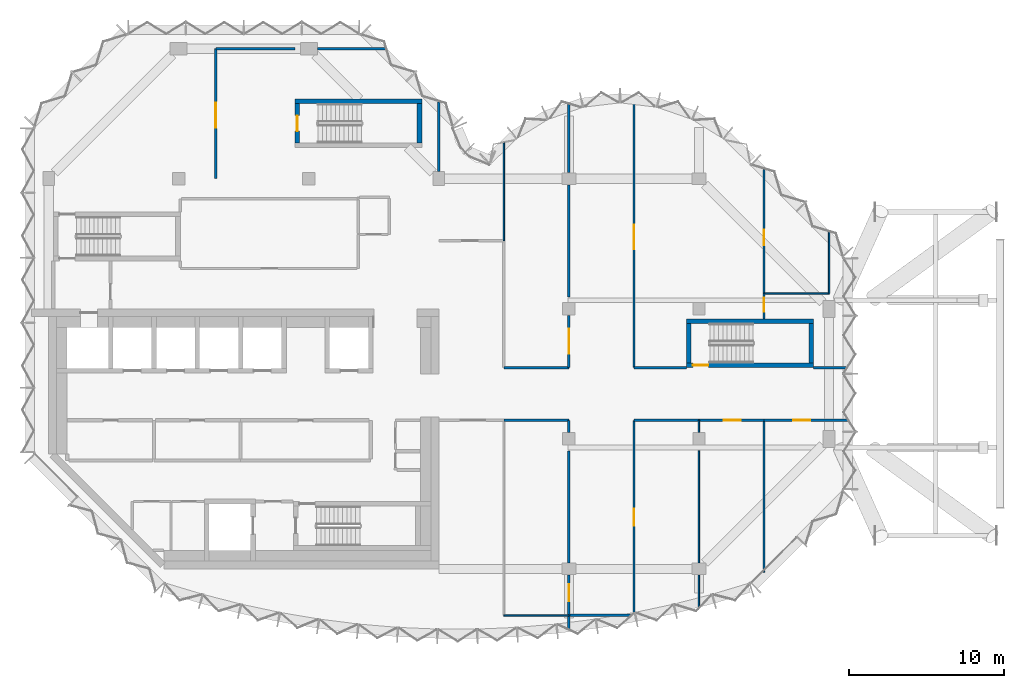
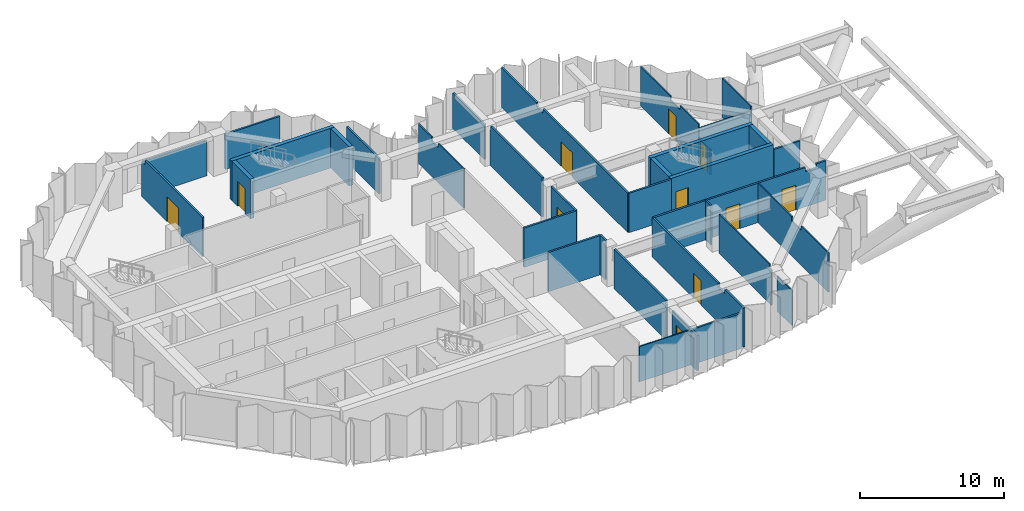
# One storey, part 8 of 11: 37 walls, 11 doors, 11 openings.
"""IFC4 building model written with IfcOpenShell, lengths in metres."""

from ifc_helpers import new_model, si_unit, direction, frame, frame_2d, origin, place, context, subcontext, project, spatial, polyline, rectangle, outline, extrude, material, layer, layer_set, type_object, element, fill, save


model = new_model("IFC4")

# Units and contexts
model_context = context("Model", 3, precision=1e-05, world=origin(), true_north=direction((0.0, 1.0)))
body_context = subcontext(model_context, "Body", "Model", "MODEL_VIEW")
ifc_project = project(units=[si_unit("LENGTHUNIT", "METRE"), si_unit("AREAUNIT", "SQUARE_METRE"), si_unit("VOLUMEUNIT", "CUBIC_METRE"), si_unit("PLANEANGLEUNIT", "RADIAN"), si_unit("MASSUNIT", "GRAM", prefix="KILO")], contexts=[model_context])

# Site, building, storey
site_placement = place(None, origin())
site = spatial("IfcSite", under=ifc_project, at=site_placement, CompositionType="ELEMENT")
building_placement = place(site_placement, origin())
building = spatial("IfcBuilding", under=site, at=building_placement, Name="Brevane Broadcast Tower", CompositionType="ELEMENT")
storey_placement = place(building_placement, frame((0.0, 0.0, 219.300048828125)))
storey = spatial("IfcBuildingStorey", under=building, at=storey_placement, Name="L55", CompositionType="ELEMENT", Elevation=219.300048828125)

# Wall
ifc_material_1 = material(Name="Concrete C50/60", Category="concrete")
ifc_layer_1 = layer(ifc_material_1, 0.300048828125)
ifc_layer_set_1 = layer_set([ifc_layer_1], Name="Core wall 300 mm C50/60")
wall_type_1 = type_object("IfcWallType", Name="Core wall 300 mm C50/60", PredefinedType="SHEAR", material=ifc_layer_set_1)
wall_1_placement = place(storey_placement, frame((15.89990234375, 30.199951171875, 0.0), z_axis=(0.0, 0.0, 1.0), x_axis=(1.0, 0.0, 0.0)))
element("IfcWall", 1, at=wall_1_placement, inside=storey, type_object=wall_type_1, Name="L55 stair wall ST-3-N", PredefinedType="SHEAR", context=body_context, shape_type="SweptSolid", body=[
    extrude(rectangle(XDim=8.2001953125, YDim=0.300048828125, at=frame_2d((4.10009765625, 0.0))), origin(), (0.0, 0.0, 1.0), 3.349853515625),
])

# Wall, opening, door
wall_2_placement = place(storey_placement, frame((16.050048828125, 27.5, 0.0), z_axis=(0.0, 0.0, 1.0), x_axis=(0.0, 1.0, 0.0)))
wall_2 = element("IfcWall", 2, at=wall_2_placement, inside=storey, type_object=wall_type_1, Name="L55 stair wall ST-3-W", PredefinedType="SHEAR", context=body_context, shape_type="SweptSolid", body=[
    extrude(rectangle(XDim=2.550048828125, YDim=0.300048828125, at=frame_2d((1.27490234375, 0.0))), origin(), (0.0, 0.0, 1.0), 3.349853515625),
])
opening_1_placement = place(wall_2_placement, frame((0.77490234375, 0.0, 0.0)))
opening_1 = element("IfcOpeningElement", 3, at=opening_1_placement, cuts=wall_2, Name="Opening L55-K12", PredefinedType="OPENING", context=body_context, shape_type="SweptSolid", body=[
    extrude(rectangle(XDim=1.0, YDim=2.10009765625, at=frame_2d((0.5, 1.050048828125))), frame((0.0, 0.159912109375, 0.0), z_axis=(0.0, -1.0, 0.0), x_axis=(1.0, 0.0, 0.0)), (0.0, 0.0, 1.0), 0.320068359375),
])
ifc_material_2 = material(Name="Steel", Category="steel")
door_type_1 = type_object("IfcDoorType", Name="Stair door 1000 x 2100", OperationType="SINGLE_SWING_LEFT", PredefinedType="DOOR", material=ifc_material_2)
door_1_placement = place(opening_1_placement, origin())
door_1 = element("IfcDoor", 4, at=door_1_placement, inside=storey, type_object=door_type_1, Name="Door L55-K12", OperationType="SINGLE_SWING_RIGHT", OverallHeight=2.10009765625, OverallWidth=1.0, PredefinedType="DOOR", context=body_context, shape_type="SweptSolid", body=[
    extrude(rectangle(XDim=1.0, YDim=2.10009765625, at=frame_2d((0.5, 1.050048828125))), frame((0.0, 0.02490234375, 0.0), z_axis=(0.0, -1.0, 0.0), x_axis=(1.0, 0.0, 0.0)), (0.0, 0.0, 1.0), 0.050048828125),
])
fill(opening_1, door_1)

# Wall
wall_3_placement = place(storey_placement, frame((23.949951171875, 27.5, 0.0), z_axis=(0.0, 0.0, 1.0), x_axis=(0.0, 1.0, 0.0)))
element("IfcWall", 5, at=wall_3_placement, inside=storey, type_object=wall_type_1, Name="L55 stair wall ST-3-E", PredefinedType="SHEAR", context=body_context, shape_type="SweptSolid", body=[
    extrude(rectangle(XDim=2.550048828125, YDim=0.300048828125, at=frame_2d((1.27490234375, 0.0))), origin(), (0.0, 0.0, 1.0), 3.349853515625),
])

# Wall, opening, door
wall_4_placement = place(storey_placement, frame((49.39990234375, 13.14990234375, 0.0), z_axis=(0.0, 0.0, 1.0), x_axis=(-1.0, 0.0, 0.0)))
wall_4 = element("IfcWall", 6, at=wall_4_placement, inside=storey, type_object=wall_type_1, Name="L55 stair wall ST-4-S", PredefinedType="SHEAR", context=body_context, shape_type="SweptSolid", body=[
    extrude(rectangle(XDim=8.199951171875, YDim=0.300048828125, at=frame_2d((4.10009765625, 0.0))), origin(), (0.0, 0.0, 1.0), 3.349853515625),
])
opening_2_placement = place(wall_4_placement, frame((6.800048828125, 0.0, 0.0)))
opening_2 = element("IfcOpeningElement", 7, at=opening_2_placement, cuts=wall_4, Name="Opening L55-K13", PredefinedType="OPENING", context=body_context, shape_type="SweptSolid", body=[
    extrude(rectangle(XDim=1.0, YDim=2.10009765625, at=frame_2d((0.5, 1.050048828125))), frame((0.0, 0.159912109375, 0.0), z_axis=(0.0, -1.0, 0.0), x_axis=(1.0, 0.0, 0.0)), (0.0, 0.0, 1.0), 0.320068359375),
])
door_2_placement = place(opening_2_placement, origin())
door_2 = element("IfcDoor", 8, at=door_2_placement, inside=storey, type_object=door_type_1, Name="Door L55-K13", OperationType="SINGLE_SWING_LEFT", OverallHeight=2.10009765625, OverallWidth=1.0, PredefinedType="DOOR", context=body_context, shape_type="SweptSolid", body=[
    extrude(rectangle(XDim=1.0, YDim=2.10009765625, at=frame_2d((0.5, 1.050048828125))), frame((0.0, 0.02490234375, 0.0), z_axis=(0.0, -1.0, 0.0), x_axis=(1.0, 0.0, 0.0)), (0.0, 0.0, 1.0), 0.050048828125),
])
fill(opening_2, door_2)

# Walls
wall_5_placement = place(storey_placement, frame((41.199951171875, 16.0, 0.0), z_axis=(0.0, 0.0, 1.0), x_axis=(1.0, 0.0, 0.0)))
element("IfcWall", 9, at=wall_5_placement, inside=storey, type_object=wall_type_1, Name="L55 stair wall ST-4-N", PredefinedType="SHEAR", context=body_context, shape_type="SweptSolid", body=[
    extrude(rectangle(XDim=8.199951171875, YDim=0.300048828125, at=frame_2d((4.10009765625, 0.0))), origin(), (0.0, 0.0, 1.0), 3.349853515625),
])
for number, where, z_axis, x_axis, name in (
    (10, (41.35009765625, 13.300048828125, 0.0), (0.0, 0.0, 1.0), (0.0, 1.0, 0.0), "L55 stair wall ST-4-W"),
    (11, (49.25, 13.300048828125, 0.0), (0.0, 0.0, 1.0), (0.0, 1.0, 0.0), "L55 stair wall ST-4-E"),
):
    element("IfcWall", number, at=place(storey_placement, frame(where, z_axis=z_axis, x_axis=x_axis)), inside=storey, type_object=wall_type_1, Name=name, PredefinedType="SHEAR", context=body_context, shape_type="SweptSolid", body=[
        extrude(rectangle(XDim=2.550048828125, YDim=0.300048828125, at=frame_2d((1.27490234375, 0.0))), origin(), (0.0, 0.0, 1.0), 3.349853515625),
    ])
ifc_material_3 = material(Name="Gypsum board partition")
ifc_layer_2 = layer(ifc_material_3, 0.10009765625)
ifc_layer_set_2 = layer_set([ifc_layer_2], Name="PARTITION 100 STUD")
wall_type_2 = type_object("IfcWallType", Name="PARTITION 100 STUD", PredefinedType="PARTITIONING", material=ifc_layer_set_2)
wall_6_placement = place(storey_placement, frame((29.39990234375, 27.510986328125, 0.0), z_axis=(0.0, 0.0, 1.0), x_axis=(0.0, -1.0, 0.0)))
element("IfcWall", 12, at=wall_6_placement, inside=storey, type_object=wall_type_2, Name="Partition G16-004", PredefinedType="PARTITIONING", context=body_context, shape_type="SweptSolid", body=[
    extrude(outline(polyline([(0.0, 0.0), (6.31103515625, 0.0), (6.31103515625, 3.329833984375), (2.760986328125, 3.329833984375), (2.759033203125, 2.97998046875), (1.863037109375, 2.97998046875), (1.861083984375, 3.329833984375), (0.236083984375, 3.329833984375), (0.0, 3.329833984375), (0.0, 0.0)])), frame((0.0, 0.050048828125, 0.0), z_axis=(0.0, -1.0, 0.0), x_axis=(1.0, 0.0, 0.0)), (0.0, 0.0, 1.0), 0.10009765625),
])
wall_7_placement = place(storey_placement, frame((29.39990234375, -3.0, 0.0), z_axis=(0.0, 0.0, 1.0), x_axis=(1.0, 0.0, 0.0)))
element("IfcWall", 13, at=wall_7_placement, inside=storey, type_object=wall_type_2, Name="Partition G16-019", PredefinedType="PARTITIONING", context=body_context, shape_type="SweptSolid", body=[
    extrude(rectangle(XDim=4.2001953125, YDim=0.10009765625, at=frame_2d((2.10009765625, 0.0))), origin(), (0.0, 0.0, 1.0), 2.97998046875),
])
wall_8_placement = place(storey_placement, frame((42.0, 9.60009765625, 0.0), z_axis=(0.0, 0.0, 1.0), x_axis=(0.0, -1.0, 0.0)))
element("IfcWall", 14, at=wall_8_placement, inside=storey, type_object=wall_type_2, Name="Partition G16-020", PredefinedType="PARTITIONING", context=body_context, shape_type="SweptSolid", body=[
    extrude(rectangle(XDim=0.780029296875, YDim=0.10009765625, at=frame_2d((0.39013671875, 0.0))), origin(), (0.0, 0.0, 1.0), 3.329833984375),
])
wall_9_placement = place(storey_placement, frame((42.0, 7.6298828125, 0.0), z_axis=(0.0, 0.0, 1.0), x_axis=(0.0, -1.0, 0.0)))
element("IfcWall", 15, at=wall_9_placement, inside=storey, type_object=wall_type_2, Name="Partition G16-021", PredefinedType="PARTITIONING", context=body_context, shape_type="SweptSolid", body=[
    extrude(outline(polyline([(0.0, 0.0), (7.23486328125, 0.0), (7.235107421875, 2.97998046875), (6.96630859375, 2.97998046875), (6.96435546875, 3.329833984375), (0.0, 3.329833984375), (0.0, 0.0)])), frame((0.0, 0.050048828125, 0.0), z_axis=(0.0, -1.0, 0.0), x_axis=(1.0, 0.0, 0.0)), (0.0, 0.0, 1.0), 0.10009765625),
])
wall_10_placement = place(storey_placement, frame((42.0, -0.39501953125, 0.0), z_axis=(0.0, 0.0, 1.0), x_axis=(0.0, -1.0, 0.0)))
element("IfcWall", 16, at=wall_10_placement, inside=storey, type_object=wall_type_2, Name="Partition G16-022", PredefinedType="PARTITIONING", context=body_context, shape_type="SweptSolid", body=[
    extrude(rectangle(XDim=2.074951171875, YDim=0.10009765625, at=frame_2d((1.03759765625, 0.0))), origin(), (0.0, 0.0, 1.0), 2.97998046875),
])
wall_11_placement = place(storey_placement, frame((46.199951171875, 9.60009765625, 0.0), z_axis=(0.0, 0.0, 1.0), x_axis=(0.0, -1.0, 0.0)))
element("IfcWall", 17, at=wall_11_placement, inside=storey, type_object=wall_type_2, Name="Partition G16-023", PredefinedType="PARTITIONING", context=body_context, shape_type="SweptSolid", body=[
    extrude(outline(polyline([(0.0, 0.0), (9.800048828125, 0.0), (9.800048828125, 3.329833984375), (6.065673828125, 3.329833984375), (6.063720703125, 2.97998046875), (4.736328125, 2.97998046875), (4.734375, 3.329833984375), (0.0, 3.329833984375), (0.0, 0.0)])), frame((0.0, 0.050048828125, 0.0), z_axis=(0.0, -1.0, 0.0), x_axis=(1.0, 0.0, 0.0)), (0.0, 0.0, 1.0), 0.10009765625),
])

# Wall, opening, door
wall_12_placement = place(storey_placement, frame((46.199951171875, 17.800048828125, 0.0), z_axis=(0.0, 0.0, 1.0), x_axis=(0.0, -1.0, 0.0)))
wall_12 = element("IfcWall", 18, at=wall_12_placement, inside=storey, type_object=wall_type_2, Name="Partition G16-028", PredefinedType="PARTITIONING", context=body_context, shape_type="SweptSolid", body=[
    extrude(rectangle(XDim=1.650146484375, YDim=0.10009765625, at=frame_2d((0.8251953125, 0.0))), origin(), (0.0, 0.0, 1.0), 2.19189453125),
])
opening_3_placement = place(wall_12_placement, frame((0.300048828125, 0.0, 0.0)))
opening_3 = element("IfcOpeningElement", 19, at=opening_3_placement, cuts=wall_12, Name="Opening D27-009", PredefinedType="OPENING", context=body_context, shape_type="SweptSolid", body=[
    extrude(rectangle(XDim=0.89990234375, YDim=2.10009765625, at=frame_2d((0.449951171875, 1.050048828125))), frame((0.0, 0.06005859375, 0.0), z_axis=(0.0, -1.0, 0.0), x_axis=(1.0, 0.0, 0.0)), (0.0, 0.0, 1.0), 0.1201171875),
])
ifc_material_4 = material(Name="Timber door leaf", Category="wood")
door_type_2 = type_object("IfcDoorType", Name="DOOR SINGLE 900 INTERNAL", OperationType="SINGLE_SWING_LEFT", PredefinedType="DOOR", material=ifc_material_4)
door_3_placement = place(opening_3_placement, origin())
door_3 = element("IfcDoor", 20, at=door_3_placement, inside=storey, type_object=door_type_2, Name="Door D27-009", OperationType="SINGLE_SWING_LEFT", OverallHeight=2.10009765625, OverallWidth=0.89990234375, PredefinedType="DOOR", context=body_context, shape_type="SweptSolid", body=[
    extrude(rectangle(XDim=0.89990234375, YDim=2.10009765625, at=frame_2d((0.449951171875, 1.050048828125))), frame((0.0, 0.02490234375, 0.0), z_axis=(0.0, -1.0, 0.0), x_axis=(1.0, 0.0, 0.0)), (0.0, 0.0, 1.0), 0.050048828125),
])
fill(opening_3, door_3)

wall_13_placement = place(storey_placement, frame((46.199951171875, 25.805419921875, 0.0), z_axis=(0.0, 0.0, 1.0), x_axis=(0.0, -1.0, 0.0)))
wall_13 = element("IfcWall", 21, at=wall_13_placement, inside=storey, type_object=wall_type_2, Name="Partition G16-029", PredefinedType="PARTITIONING", context=body_context, shape_type="SweptSolid", body=[
    extrude(outline(polyline([(0.0, 0.0), (8.00537109375, 0.0), (8.00537109375, 3.329833984375), (5.47119140625, 3.329833984375), (5.468994140625, 2.97998046875), (4.1416015625, 2.97998046875), (4.1396484375, 3.329833984375), (0.405517578125, 3.329833984375), (0.0, 3.329833984375), (0.0, 0.0)])), frame((0.0, 0.050048828125, 0.0), z_axis=(0.0, -1.0, 0.0), x_axis=(1.0, 0.0, 0.0)), (0.0, 0.0, 1.0), 0.10009765625),
])
opening_4_placement = place(wall_13_placement, frame((3.905517578125, 0.0, 0.0)))
opening_4 = element("IfcOpeningElement", 22, at=opening_4_placement, cuts=wall_13, Name="Opening D27-010", PredefinedType="OPENING", context=body_context, shape_type="SweptSolid", body=[
    extrude(rectangle(XDim=1.0, YDim=2.10009765625, at=frame_2d((0.5, 1.050048828125))), frame((0.0, 0.06005859375, 0.0), z_axis=(0.0, -1.0, 0.0), x_axis=(1.0, 0.0, 0.0)), (0.0, 0.0, 1.0), 0.1201171875),
])
door_type_3 = type_object("IfcDoorType", Name="DOOR SINGLE 1000 INTERNAL", OperationType="SINGLE_SWING_LEFT", PredefinedType="DOOR", material=ifc_material_4)
door_4_placement = place(opening_4_placement, origin())
door_4 = element("IfcDoor", 23, at=door_4_placement, inside=storey, type_object=door_type_3, Name="Door D27-010", OperationType="SINGLE_SWING_LEFT", OverallHeight=2.10009765625, OverallWidth=1.0, PredefinedType="DOOR", context=body_context, shape_type="SweptSolid", body=[
    extrude(rectangle(XDim=1.0, YDim=2.10009765625, at=frame_2d((0.5, 1.050048828125))), frame((0.0, 0.02490234375, 0.0), z_axis=(0.0, -1.0, 0.0), x_axis=(1.0, 0.0, 0.0)), (0.0, 0.0, 1.0), 0.050048828125),
])
fill(opening_4, door_4)

# Walls
wall_14_placement = place(storey_placement, frame((46.199951171875, 17.800048828125, 0.0), z_axis=(0.0, 0.0, 1.0), x_axis=(1.0, 0.0, 0.0)))
element("IfcWall", 24, at=wall_14_placement, inside=storey, type_object=wall_type_2, Name="Partition G16-030", PredefinedType="PARTITIONING", context=body_context, shape_type="SweptSolid", body=[
    extrude(rectangle(XDim=4.199951171875, YDim=0.10009765625, at=frame_2d((2.10009765625, 0.0))), origin(), (0.0, 0.0, 1.0), 2.97998046875),
])
wall_15_placement = place(storey_placement, frame((50.39990234375, 17.800048828125, 0.0), z_axis=(0.0, 0.0, 1.0), x_axis=(0.0, 1.0, 0.0)))
element("IfcWall", 25, at=wall_15_placement, inside=storey, type_object=wall_type_2, Name="Partition G16-031", PredefinedType="PARTITIONING", context=body_context, shape_type="SweptSolid", body=[
    extrude(rectangle(XDim=3.956298828125, YDim=0.10009765625, at=frame_2d((1.97802734375, 0.0))), origin(), (0.0, 0.0, 1.0), 3.329833984375),
])
ifc_layer_3 = layer(ifc_material_3, 0.14990234375)
ifc_layer_set_3 = layer_set([ifc_layer_3], Name="PARTITION 150 EI 60")
wall_type_3 = type_object("IfcWallType", Name="PARTITION 150 EI 60", PredefinedType="PARTITIONING", material=ifc_layer_set_3)
wall_16_placement = place(storey_placement, frame((25.199951171875, 25.669921875, 0.0), z_axis=(0.0, 0.0, 1.0), x_axis=(0.0, 1.0, 0.0)))
element("IfcWall", 26, at=wall_16_placement, inside=storey, type_object=wall_type_3, Name="Partition G16-005", PredefinedType="PARTITIONING", context=body_context, shape_type="SweptSolid", body=[
    extrude(rectangle(XDim=4.486572265625, YDim=0.14990234375, at=frame_2d((2.2431640625, 0.0))), origin(), (0.0, 0.0, 1.0), 2.97998046875),
])
wall_17_placement = place(storey_placement, frame((33.60009765625, 9.60009765625, 0.0), z_axis=(0.0, 0.0, 1.0), x_axis=(-1.0, 0.0, 0.0)))
element("IfcWall", 27, at=wall_17_placement, inside=storey, type_object=wall_type_3, Name="Partition G16-006", PredefinedType="PARTITIONING", context=body_context, shape_type="SweptSolid", body=[
    extrude(rectangle(XDim=4.2001953125, YDim=0.14990234375, at=frame_2d((2.10009765625, 0.0))), origin(), (0.0, 0.0, 1.0), 3.329833984375),
])
wall_18_placement = place(storey_placement, frame((42.0, 9.60009765625, 0.0), z_axis=(0.0, 0.0, 1.0), x_axis=(-1.0, 0.0, 0.0)))
element("IfcWall", 28, at=wall_18_placement, inside=storey, type_object=wall_type_3, Name="Partition G16-007", PredefinedType="PARTITIONING", context=body_context, shape_type="SweptSolid", body=[
    extrude(rectangle(XDim=4.199951171875, YDim=0.14990234375, at=frame_2d((2.10009765625, 0.0))), origin(), (0.0, 0.0, 1.0), 3.329833984375),
])

# Wall, opening, door
wall_19_placement = place(storey_placement, frame((46.199951171875, 9.60009765625, 0.0), z_axis=(0.0, 0.0, 1.0), x_axis=(-1.0, 0.0, 0.0)))
wall_19 = element("IfcWall", 29, at=wall_19_placement, inside=storey, type_object=wall_type_3, Name="Partition G16-008", PredefinedType="PARTITIONING", context=body_context, shape_type="SweptSolid", body=[
    extrude(rectangle(XDim=4.199951171875, YDim=0.14990234375, at=frame_2d((2.10009765625, 0.0))), origin(), (0.0, 0.0, 1.0), 3.329833984375),
])
opening_5_placement = place(wall_19_placement, frame((1.5, 0.0, 0.0)))
opening_5 = element("IfcOpeningElement", 30, at=opening_5_placement, cuts=wall_19, Name="Opening D27-005", PredefinedType="OPENING", context=body_context, shape_type="SweptSolid", body=[
    extrude(rectangle(XDim=1.10009765625, YDim=2.10009765625, at=frame_2d((0.550048828125, 1.050048828125))), frame((0.0, 0.0849609375, 0.0), z_axis=(0.0, -1.0, 0.0), x_axis=(1.0, 0.0, 0.0)), (0.0, 0.0, 1.0), 0.169921875),
])
ifc_material_5 = material(Name="Fire-rated timber door leaf", Category="wood")
door_type_4 = type_object("IfcDoorType", Name="DOOR SINGLE 1100 FD30S", OperationType="SINGLE_SWING_LEFT", PredefinedType="DOOR", material=ifc_material_5)
door_5_placement = place(opening_5_placement, origin())
door_5 = element("IfcDoor", 31, at=door_5_placement, inside=storey, type_object=door_type_4, Name="Door D27-005", OperationType="SINGLE_SWING_LEFT", OverallHeight=2.10009765625, OverallWidth=1.10009765625, PredefinedType="DOOR", context=body_context, shape_type="SweptSolid", body=[
    extrude(rectangle(XDim=1.10009765625, YDim=2.10009765625, at=frame_2d((0.550048828125, 1.050048828125))), frame((0.0, 0.02490234375, 0.0), z_axis=(0.0, -1.0, 0.0), x_axis=(1.0, 0.0, 0.0)), (0.0, 0.0, 1.0), 0.050048828125),
])
fill(opening_5, door_5)

wall_20_placement = place(storey_placement, frame((51.607177734375, 9.60009765625, 0.0), z_axis=(0.0, 0.0, 1.0), x_axis=(-1.0, 0.0, 0.0)))
wall_20 = element("IfcWall", 32, at=wall_20_placement, inside=storey, type_object=wall_type_3, Name="Partition G16-009", PredefinedType="PARTITIONING", context=body_context, shape_type="SweptSolid", body=[
    extrude(outline(polyline([(0.0, 0.0), (5.4072265625, 0.0), (5.406982421875, 3.329833984375), (1.656982421875, 3.329833984375), (1.655029296875, 2.97998046875), (0.759033203125, 2.97998046875), (0.757080078125, 3.329833984375), (0.127197265625, 3.329833984375), (0.0, 3.329833984375), (0.0, 0.0)])), frame((0.0, 0.074951171875, 0.0), z_axis=(0.0, -1.0, 0.0), x_axis=(1.0, 0.0, 0.0)), (0.0, 0.0, 1.0), 0.14990234375),
])
opening_6_placement = place(wall_20_placement, frame((2.427001953125, 0.0, 0.0)))
opening_6 = element("IfcOpeningElement", 33, at=opening_6_placement, cuts=wall_20, Name="Opening D27-006", PredefinedType="OPENING", context=body_context, shape_type="SweptSolid", body=[
    extrude(rectangle(XDim=1.10009765625, YDim=2.10009765625, at=frame_2d((0.550048828125, 1.050048828125))), frame((0.0, 0.0849609375, 0.0), z_axis=(0.0, -1.0, 0.0), x_axis=(1.0, 0.0, 0.0)), (0.0, 0.0, 1.0), 0.169921875),
])
door_6_placement = place(opening_6_placement, origin())
door_6 = element("IfcDoor", 34, at=door_6_placement, inside=storey, type_object=door_type_4, Name="Door D27-006", OperationType="SINGLE_SWING_LEFT", OverallHeight=2.10009765625, OverallWidth=1.10009765625, PredefinedType="DOOR", context=body_context, shape_type="SweptSolid", body=[
    extrude(rectangle(XDim=1.10009765625, YDim=2.10009765625, at=frame_2d((0.550048828125, 1.050048828125))), frame((0.0, 0.02490234375, 0.0), z_axis=(0.0, -1.0, 0.0), x_axis=(1.0, 0.0, 0.0)), (0.0, 0.0, 1.0), 0.050048828125),
])
fill(opening_6, door_6)

# Walls
wall_21_placement = place(storey_placement, frame((29.39990234375, 13.0, 0.0), z_axis=(0.0, 0.0, 1.0), x_axis=(1.0, 0.0, 0.0)))
element("IfcWall", 35, at=wall_21_placement, inside=storey, type_object=wall_type_3, Name="Partition G16-010", PredefinedType="PARTITIONING", context=body_context, shape_type="SweptSolid", body=[
    extrude(rectangle(XDim=4.2001953125, YDim=0.14990234375, at=frame_2d((2.10009765625, 0.0))), origin(), (0.0, 0.0, 1.0), 3.329833984375),
])
wall_22_placement = place(storey_placement, frame((37.800048828125, 13.0, 0.0), z_axis=(0.0, 0.0, 1.0), x_axis=(1.0, 0.0, 0.0)))
element("IfcWall", 36, at=wall_22_placement, inside=storey, type_object=wall_type_3, Name="Partition G16-011", PredefinedType="PARTITIONING", context=body_context, shape_type="SweptSolid", body=[
    extrude(rectangle(XDim=3.39990234375, YDim=0.14990234375, at=frame_2d((1.699951171875, 0.0))), origin(), (0.0, 0.0, 1.0), 3.329833984375),
])
wall_23_placement = place(storey_placement, frame((49.39990234375, 13.0, 0.0), z_axis=(0.0, 0.0, 1.0), x_axis=(1.0, 0.0, 0.0)))
element("IfcWall", 37, at=wall_23_placement, inside=storey, type_object=wall_type_3, Name="Partition G16-012", PredefinedType="PARTITIONING", context=body_context, shape_type="SweptSolid", body=[
    extrude(rectangle(XDim=2.080078125, YDim=0.14990234375, at=frame_2d((1.0400390625, 0.0))), origin(), (0.0, 0.0, 1.0), 2.97998046875),
])
wall_24_placement = place(storey_placement, frame((37.59033203125, -3.0, 0.0), z_axis=(0.0, 0.0, 1.0), x_axis=(-1.0, 0.0, 0.0)))
element("IfcWall", 38, at=wall_24_placement, inside=storey, type_object=wall_type_3, Name="Partition G16-013", PredefinedType="PARTITIONING", context=body_context, shape_type="SweptSolid", body=[
    extrude(rectangle(XDim=3.990234375, YDim=0.14990234375, at=frame_2d((1.9951171875, 0.0))), origin(), (0.0, 0.0, 1.0), 2.97998046875),
])

# Wall, opening, door
wall_25_placement = place(storey_placement, frame((33.60009765625, -3.88037109375, 0.0), z_axis=(0.0, 0.0, 1.0), x_axis=(0.0, 1.0, 0.0)))
wall_25 = element("IfcWall", 39, at=wall_25_placement, inside=storey, type_object=wall_type_3, Name="Partition G16-014", PredefinedType="PARTITIONING", context=body_context, shape_type="SweptSolid", body=[
    extrude(rectangle(XDim=3.4853515625, YDim=0.14990234375, at=frame_2d((1.74267578125, 0.0))), origin(), (0.0, 0.0, 1.0), 2.97998046875),
])
opening_7_placement = place(wall_25_placement, frame((1.7802734375, 0.0, 0.0)))
opening_7 = element("IfcOpeningElement", 40, at=opening_7_placement, cuts=wall_25, Name="Opening D27-003", PredefinedType="OPENING", context=body_context, shape_type="SweptSolid", body=[
    extrude(rectangle(XDim=1.10009765625, YDim=2.10009765625, at=frame_2d((0.550048828125, 1.050048828125))), frame((0.0, 0.0849609375, 0.0), z_axis=(0.0, -1.0, 0.0), x_axis=(1.0, 0.0, 0.0)), (0.0, 0.0, 1.0), 0.169921875),
])
door_7_placement = place(opening_7_placement, origin())
door_7 = element("IfcDoor", 41, at=door_7_placement, inside=storey, type_object=door_type_4, Name="Door D27-003", OperationType="SINGLE_SWING_LEFT", OverallHeight=2.10009765625, OverallWidth=1.10009765625, PredefinedType="DOOR", context=body_context, shape_type="SweptSolid", body=[
    extrude(rectangle(XDim=1.10009765625, YDim=2.10009765625, at=frame_2d((0.550048828125, 1.050048828125))), frame((0.0, 0.02490234375, 0.0), z_axis=(0.0, -1.0, 0.0), x_axis=(1.0, 0.0, 0.0)), (0.0, 0.0, 1.0), 0.050048828125),
])
fill(opening_7, door_7)

# Walls
wall_26_placement = place(storey_placement, frame((33.60009765625, 0.39501953125, 0.0), z_axis=(0.0, 0.0, 1.0), x_axis=(0.0, 1.0, 0.0)))
element("IfcWall", 42, at=wall_26_placement, inside=storey, type_object=wall_type_3, Name="Partition G16-015", PredefinedType="PARTITIONING", context=body_context, shape_type="SweptSolid", body=[
    extrude(outline(polyline([(0.0, 0.0), (7.23486328125, 0.0), (7.235107421875, 3.329833984375), (0.054931640625, 3.329833984375), (0.052978515625, 2.97998046875), (0.0, 2.97998046875), (0.0, 0.0)])), frame((0.0, 0.074951171875, 0.0), z_axis=(0.0, -1.0, 0.0), x_axis=(1.0, 0.0, 0.0)), (0.0, 0.0, 1.0), 0.14990234375),
])
wall_27_placement = place(storey_placement, frame((33.60009765625, 8.820068359375, 0.0), z_axis=(0.0, 0.0, 1.0), x_axis=(0.0, 1.0, 0.0)))
element("IfcWall", 43, at=wall_27_placement, inside=storey, type_object=wall_type_3, Name="Partition G16-016", PredefinedType="PARTITIONING", context=body_context, shape_type="SweptSolid", body=[
    extrude(rectangle(XDim=0.780029296875, YDim=0.14990234375, at=frame_2d((0.39013671875, 0.0))), origin(), (0.0, 0.0, 1.0), 3.329833984375),
])

# Wall, opening, door
wall_28_placement = place(storey_placement, frame((37.800048828125, 9.60009765625, 0.0), z_axis=(0.0, 0.0, 1.0), x_axis=(0.0, -1.0, 0.0)))
wall_28 = element("IfcWall", 44, at=wall_28_placement, inside=storey, type_object=wall_type_3, Name="Partition G16-017", PredefinedType="PARTITIONING", context=body_context, shape_type="SweptSolid", body=[
    extrude(outline(polyline([(0.0, 0.0), (12.622314453125, 0.0), (12.622314453125, 3.329833984375), (10.050048828125, 3.329833984375), (10.048095703125, 2.97998046875), (9.152099609375, 2.97998046875), (9.14990234375, 3.329833984375), (0.0, 3.329833984375), (0.0, 0.0)])), frame((0.0, 0.074951171875, 0.0), z_axis=(0.0, -1.0, 0.0), x_axis=(1.0, 0.0, 0.0)), (0.0, 0.0, 1.0), 0.14990234375),
])
opening_8_placement = place(wall_28_placement, frame((5.699951171875, 0.0, 0.0)))
opening_8 = element("IfcOpeningElement", 45, at=opening_8_placement, cuts=wall_28, Name="Opening D27-004", PredefinedType="OPENING", context=body_context, shape_type="SweptSolid", body=[
    extrude(rectangle(XDim=1.10009765625, YDim=2.10009765625, at=frame_2d((0.550048828125, 1.050048828125))), frame((0.0, 0.0849609375, 0.0), z_axis=(0.0, -1.0, 0.0), x_axis=(1.0, 0.0, 0.0)), (0.0, 0.0, 1.0), 0.169921875),
])
door_8_placement = place(opening_8_placement, origin())
door_8 = element("IfcDoor", 46, at=door_8_placement, inside=storey, type_object=door_type_4, Name="Door D27-004", OperationType="SINGLE_SWING_LEFT", OverallHeight=2.10009765625, OverallWidth=1.10009765625, PredefinedType="DOOR", context=body_context, shape_type="SweptSolid", body=[
    extrude(rectangle(XDim=1.10009765625, YDim=2.10009765625, at=frame_2d((0.550048828125, 1.050048828125))), frame((0.0, 0.02490234375, 0.0), z_axis=(0.0, -1.0, 0.0), x_axis=(1.0, 0.0, 0.0)), (0.0, 0.0, 1.0), 0.050048828125),
])
fill(opening_8, door_8)

wall_29_placement = place(storey_placement, frame((33.60009765625, 13.0, 0.0), z_axis=(0.0, 0.0, 1.0), x_axis=(0.0, 1.0, 0.0)))
wall_29 = element("IfcWall", 47, at=wall_29_placement, inside=storey, type_object=wall_type_3, Name="Partition G16-024", PredefinedType="PARTITIONING", context=body_context, shape_type="SweptSolid", body=[
    extrude(rectangle(XDim=3.3798828125, YDim=0.14990234375, at=frame_2d((1.68994140625, 0.0))), origin(), (0.0, 0.0, 1.0), 3.329833984375),
])
opening_9_placement = place(wall_29_placement, frame((0.89990234375, 0.0, 0.0)))
opening_9 = element("IfcOpeningElement", 48, at=opening_9_placement, cuts=wall_29, Name="Opening D27-007", PredefinedType="OPENING", context=body_context, shape_type="SweptSolid", body=[
    extrude(rectangle(XDim=1.60009765625, YDim=2.10009765625, at=frame_2d((0.800048828125, 1.050048828125))), frame((0.0, 0.0849609375, 0.0), z_axis=(0.0, -1.0, 0.0), x_axis=(1.0, 0.0, 0.0)), (0.0, 0.0, 1.0), 0.169921875),
])
door_type_5 = type_object("IfcDoorType", Name="DOOR DOUBLE 1600 FD30S", OperationType="DOUBLE_DOOR_SINGLE_SWING", PredefinedType="DOOR", material=ifc_material_5)
door_9_placement = place(opening_9_placement, origin())
door_9 = element("IfcDoor", 49, at=door_9_placement, inside=storey, type_object=door_type_5, Name="Door D27-007", OperationType="DOUBLE_DOOR_SINGLE_SWING", OverallHeight=2.10009765625, OverallWidth=1.60009765625, PredefinedType="DOOR", context=body_context, shape_type="SweptSolid", body=[
    extrude(rectangle(XDim=1.60009765625, YDim=2.10009765625, at=frame_2d((0.800048828125, 1.050048828125))), frame((0.0, 0.02490234375, 0.0), z_axis=(0.0, -1.0, 0.0), x_axis=(1.0, 0.0, 0.0)), (0.0, 0.0, 1.0), 0.050048828125),
])
fill(opening_9, door_9)

# Walls
wall_30_placement = place(storey_placement, frame((33.60009765625, 17.570068359375, 0.0), z_axis=(0.0, 0.0, 1.0), x_axis=(0.0, 1.0, 0.0)))
element("IfcWall", 50, at=wall_30_placement, inside=storey, type_object=wall_type_3, Name="Partition G16-025", PredefinedType="PARTITIONING", context=body_context, shape_type="SweptSolid", body=[
    extrude(outline(polyline([(0.0, 0.0), (7.23486328125, 0.0), (7.235107421875, 2.97998046875), (7.181884765625, 2.97998046875), (7.179931640625, 3.329833984375), (0.0, 3.329833984375), (0.0, 0.0)])), frame((0.0, 0.074951171875, 0.0), z_axis=(0.0, -1.0, 0.0), x_axis=(1.0, 0.0, 0.0)), (0.0, 0.0, 1.0), 0.14990234375),
])
wall_31_placement = place(storey_placement, frame((33.60009765625, 25.594970703125, 0.0), z_axis=(0.0, 0.0, 1.0), x_axis=(0.0, 1.0, 0.0)))
element("IfcWall", 51, at=wall_31_placement, inside=storey, type_object=wall_type_3, Name="Partition G16-026", PredefinedType="PARTITIONING", context=body_context, shape_type="SweptSolid", body=[
    extrude(rectangle(XDim=4.393310546875, YDim=0.14990234375, at=frame_2d((2.19677734375, 0.0))), origin(), (0.0, 0.0, 1.0), 2.97998046875),
])

# Wall, opening, door
wall_32_placement = place(storey_placement, frame((37.800048828125, 30.52587890625, 0.0), z_axis=(0.0, 0.0, 1.0), x_axis=(0.0, -1.0, 0.0)))
wall_32 = element("IfcWall", 52, at=wall_32_placement, inside=storey, type_object=wall_type_3, Name="Partition G16-027", PredefinedType="PARTITIONING", context=body_context, shape_type="SweptSolid", body=[
    extrude(outline(polyline([(0.0, 0.0), (17.52587890625, 0.0), (17.52587890625, 3.329833984375), (5.77587890625, 3.329833984375), (5.77392578125, 2.97998046875), (4.8779296875, 2.97998046875), (4.8759765625, 3.329833984375), (0.283203125, 3.329833984375), (0.0, 3.329833984375), (0.0, 0.0)])), frame((0.0, 0.074951171875, 0.0), z_axis=(0.0, -1.0, 0.0), x_axis=(1.0, 0.0, 0.0)), (0.0, 0.0, 1.0), 0.14990234375),
])
opening_10_placement = place(wall_32_placement, frame((8.283203125, 0.0, 0.0)))
opening_10 = element("IfcOpeningElement", 53, at=opening_10_placement, cuts=wall_32, Name="Opening D27-008", PredefinedType="OPENING", context=body_context, shape_type="SweptSolid", body=[
    extrude(rectangle(XDim=1.60009765625, YDim=2.10009765625, at=frame_2d((0.800048828125, 1.050048828125))), frame((0.0, 0.0849609375, 0.0), z_axis=(0.0, -1.0, 0.0), x_axis=(1.0, 0.0, 0.0)), (0.0, 0.0, 1.0), 0.169921875),
])
door_10_placement = place(opening_10_placement, origin())
door_10 = element("IfcDoor", 54, at=door_10_placement, inside=storey, type_object=door_type_5, Name="Door D27-008", OperationType="DOUBLE_DOOR_SINGLE_SWING", OverallHeight=2.10009765625, OverallWidth=1.60009765625, PredefinedType="DOOR", context=body_context, shape_type="SweptSolid", body=[
    extrude(rectangle(XDim=1.60009765625, YDim=2.10009765625, at=frame_2d((0.800048828125, 1.050048828125))), frame((0.0, 0.02490234375, 0.0), z_axis=(0.0, -1.0, 0.0), x_axis=(1.0, 0.0, 0.0)), (0.0, 0.0, 1.0), 0.050048828125),
])
fill(opening_10, door_10)

wall_33_placement = place(storey_placement, frame((10.800048828125, 25.199951171875, 0.0), z_axis=(0.0, 0.0, 1.0), x_axis=(0.0, 1.0, 0.0)))
wall_33 = element("IfcWall", 55, at=wall_33_placement, inside=storey, type_object=wall_type_3, Name="Partition G16-032", PredefinedType="PARTITIONING", context=body_context, shape_type="SweptSolid", body=[
    extrude(outline(polyline([(0.0, 0.0), (8.400146484375, 0.0), (8.39990234375, 2.97998046875), (7.951904296875, 2.97998046875), (7.949951171875, 3.329833984375), (0.0, 3.329833984375), (0.0, 0.0)])), frame((0.0, 0.074951171875, 0.0), z_axis=(0.0, -1.0, 0.0), x_axis=(1.0, 0.0, 0.0)), (0.0, 0.0, 1.0), 0.14990234375),
])
opening_11_placement = place(wall_33_placement, frame((3.300048828125, 0.0, 0.0)))
opening_11 = element("IfcOpeningElement", 56, at=opening_11_placement, cuts=wall_33, Name="Opening D27-011", PredefinedType="OPENING", context=body_context, shape_type="SweptSolid", body=[
    extrude(rectangle(XDim=1.60009765625, YDim=2.10009765625, at=frame_2d((0.800048828125, 1.050048828125))), frame((0.0, 0.0849609375, 0.0), z_axis=(0.0, -1.0, 0.0), x_axis=(1.0, 0.0, 0.0)), (0.0, 0.0, 1.0), 0.169921875),
])
door_11_placement = place(opening_11_placement, origin())
door_11 = element("IfcDoor", 57, at=door_11_placement, inside=storey, type_object=door_type_5, Name="Door D27-011", OperationType="DOUBLE_DOOR_SINGLE_SWING", OverallHeight=2.10009765625, OverallWidth=1.60009765625, PredefinedType="DOOR", context=body_context, shape_type="SweptSolid", body=[
    extrude(rectangle(XDim=1.60009765625, YDim=2.10009765625, at=frame_2d((0.800048828125, 1.050048828125))), frame((0.0, 0.02490234375, 0.0), z_axis=(0.0, -1.0, 0.0), x_axis=(1.0, 0.0, 0.0)), (0.0, 0.0, 1.0), 0.050048828125),
])
fill(opening_11, door_11)

# Walls
wall_34_placement = place(storey_placement, frame((10.800048828125, 33.60009765625, 0.0), z_axis=(0.0, 0.0, 1.0), x_axis=(1.0, 0.0, 0.0)))
element("IfcWall", 58, at=wall_34_placement, inside=storey, type_object=wall_type_3, Name="Partition G16-033", PredefinedType="PARTITIONING", context=body_context, shape_type="SweptSolid", body=[
    extrude(outline(polyline([(0.0, 0.0), (5.099853515625, 0.0), (5.10009765625, 2.97998046875), (0.0, 2.97998046875), (0.0, 0.0)])), frame((0.0, 0.074951171875, 0.0), z_axis=(0.0, -1.0, 0.0), x_axis=(1.0, 0.0, 0.0)), (0.0, 0.0, 1.0), 0.14990234375),
])
wall_35_placement = place(storey_placement, frame((17.3701171875, 33.60009765625, 0.0), z_axis=(0.0, 0.0, 1.0), x_axis=(1.0, 0.0, 0.0)))
element("IfcWall", 59, at=wall_35_placement, inside=storey, type_object=wall_type_3, Name="Partition G16-034", PredefinedType="PARTITIONING", context=body_context, shape_type="SweptSolid", body=[
    extrude(rectangle(XDim=4.38623046875, YDim=0.14990234375, at=frame_2d((2.193115234375, 0.0))), origin(), (0.0, 0.0, 1.0), 2.97998046875),
])

save(model, "model.ifc")
